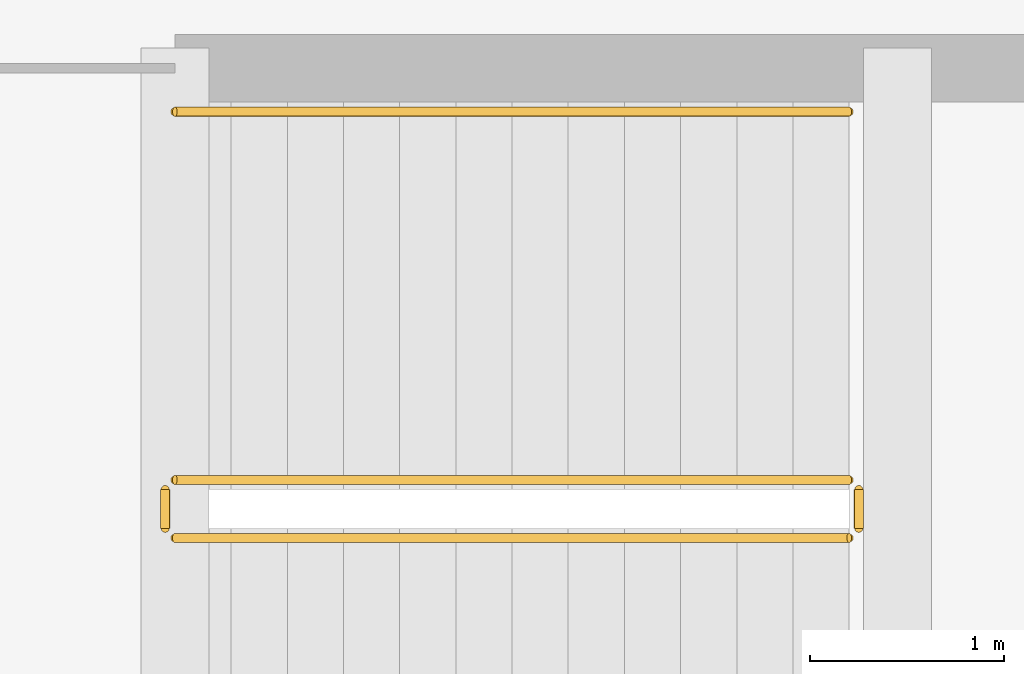
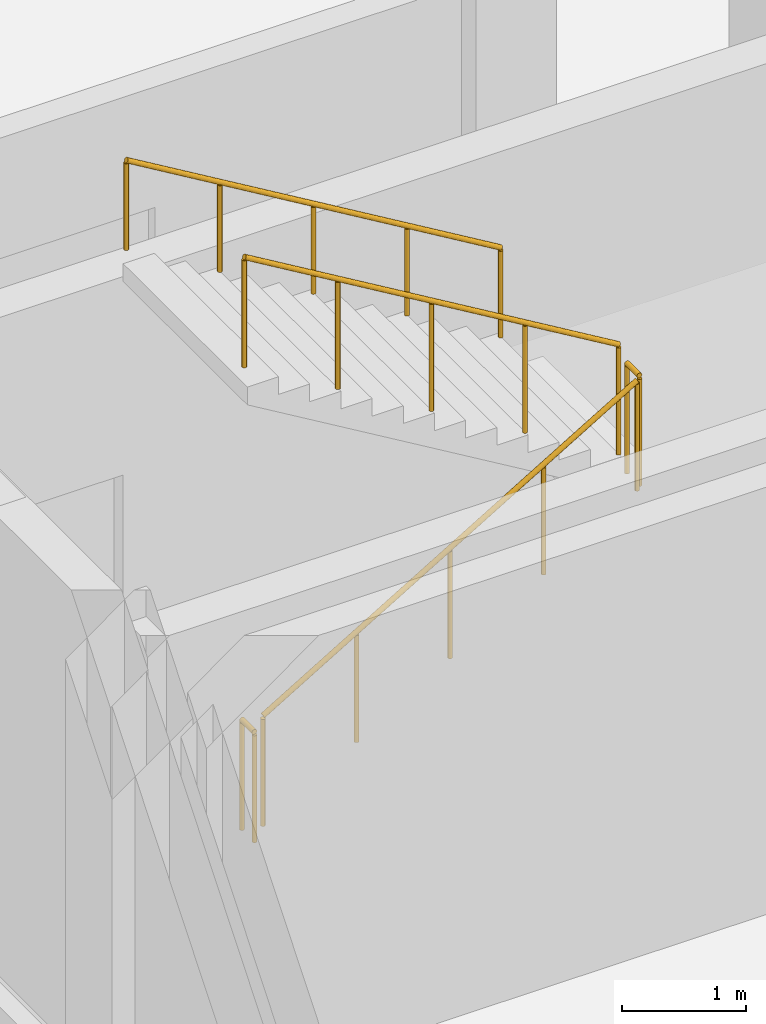
# One storey, part 49 of 53: 5 railings.
"""IFC4 building model written with IfcOpenShell, lengths in metres."""

from ifc_helpers import new_model, si_unit, direction, frame, origin, origin_2d, place, context, subcontext, project, spatial, circle, extrude, material, type_object, element, save


model = new_model("IFC4")

# Units and contexts
model_context = context("Model", 3, precision=1e-05, world=origin(), true_north=direction((0.0, 1.0)))
body_context = subcontext(model_context, "Body", "Model", "MODEL_VIEW")
ifc_project = project(units=[si_unit("LENGTHUNIT", "METRE"), si_unit("AREAUNIT", "SQUARE_METRE"), si_unit("VOLUMEUNIT", "CUBIC_METRE"), si_unit("PLANEANGLEUNIT", "RADIAN"), si_unit("MASSUNIT", "GRAM", prefix="KILO")], contexts=[model_context])

# Site, building, storey
site_placement = place(None, origin())
site = spatial("IfcSite", under=ifc_project, at=site_placement, CompositionType="ELEMENT")
building_placement = place(site_placement, origin())
building = spatial("IfcBuilding", under=site, at=building_placement, Name="Qorikala Patio Media Centre", CompositionType="ELEMENT")
storey_placement = place(building_placement, frame((0.0, 0.0, 5.39990234375)))
storey = spatial("IfcBuildingStorey", under=building, at=storey_placement, Name="L01", CompositionType="ELEMENT", Elevation=5.39990234375)

# Railings
ifc_material_1 = material(Name="Wrought Bronze and Steel S355", Category="steel")
railing_type_1 = type_object("IfcRailingType", Name="RL-GUARD-110", PredefinedType="GUARDRAIL", material=ifc_material_1)
railing_1_placement = place(storey_placement, frame((5.60009765625, 66.35009765625, 0.173095703125)))
element("IfcRailing", 1, at=railing_1_placement, inside=storey, type_object=railing_type_1, Name="L01 ST-3 stair guard 1", PredefinedType="GUARDRAIL", context=body_context, shape_type="SweptSolid", body=[
    extrude(circle(Radius=0.02392578125, at=origin_2d()), frame((0.0, 0.0, 1.076171875), z_axis=(0.858697190188, 0.0, 0.512483302717), x_axis=(0.0, 1.0, 0.0)), (0.0, 0.0, 1.0), 4.052734375),
    extrude(circle(Radius=0.02099609375, at=origin_2d()), origin(), (0.0, 0.0, 1.0), 1.052001953125),
    extrude(circle(Radius=0.02099609375, at=origin_2d()), frame((0.8701171875, 0.0, 0.519287109375)), (0.0, 0.0, 1.0), 1.052001953125),
    extrude(circle(Radius=0.02099609375, at=origin_2d()), frame((1.739990234375, 0.0, 1.03857421875)), (0.0, 0.0, 1.0), 1.052001953125),
    extrude(circle(Radius=0.02099609375, at=origin_2d()), frame((2.60986328125, 0.0, 1.5576171875)), (0.0, 0.0, 1.0), 1.052001953125),
    extrude(circle(Radius=0.02099609375, at=origin_2d()), frame((3.47998046875, 0.0, 2.076904296875)), (0.0, 0.0, 1.0), 1.052001953125),
])
railing_2_placement = place(storey_placement, frame((9.1298828125, 66.39990234375, 2.25)))
element("IfcRailing", 2, at=railing_2_placement, inside=storey, type_object=railing_type_1, Name="L01 ST-3 stair guard 2", PredefinedType="GUARDRAIL", context=body_context, shape_type="SweptSolid", body=[
    extrude(circle(Radius=0.02392578125, at=origin_2d()), frame((0.0, 0.0, 1.076171875), z_axis=(0.0, 1.0, 0.0), x_axis=(-1.0, 0.0, 0.0)), (0.0, 0.0, 1.0), 0.2001953125),
    extrude(circle(Radius=0.02099609375, at=origin_2d()), origin(), (0.0, 0.0, 1.0), 1.052001953125),
    extrude(circle(Radius=0.02099609375, at=origin_2d()), frame((0.0, 0.2001953125, 0.0)), (0.0, 0.0, 1.0), 1.052001953125),
])
railing_3_placement = place(storey_placement, frame((9.080078125, 66.64990234375, 2.423095703125)))
element("IfcRailing", 3, at=railing_3_placement, inside=storey, type_object=railing_type_1, Name="L01 ST-3 stair guard 3", PredefinedType="GUARDRAIL", context=body_context, shape_type="SweptSolid", body=[
    extrude(circle(Radius=0.02392578125, at=origin_2d()), frame((0.0, 0.0, 1.076171875), z_axis=(-0.858697190188, 0.0, 0.512483302717), x_axis=(0.0, -1.0, 0.0)), (0.0, 0.0, 1.0), 4.052734375),
    extrude(circle(Radius=0.02099609375, at=origin_2d()), origin(), (0.0, 0.0, 1.0), 1.052001953125),
    extrude(circle(Radius=0.02099609375, at=origin_2d()), frame((-0.8701171875, 0.0, 0.519287109375)), (0.0, 0.0, 1.0), 1.052001953125),
    extrude(circle(Radius=0.02099609375, at=origin_2d()), frame((-1.739990234375, 0.0, 1.03857421875)), (0.0, 0.0, 1.0), 1.052001953125),
    extrude(circle(Radius=0.02099609375, at=origin_2d()), frame((-2.60986328125, 0.0, 1.5576171875)), (0.0, 0.0, 1.0), 1.052001953125),
    extrude(circle(Radius=0.02099609375, at=origin_2d()), frame((-3.47998046875, 0.0, 2.076904296875)), (0.0, 0.0, 1.0), 1.052001953125),
])
railing_4_placement = place(storey_placement, frame((5.550048828125, 66.39990234375, 0.0)))
element("IfcRailing", 4, at=railing_4_placement, inside=storey, type_object=railing_type_1, Name="L01 ST-3 stair guard 4", PredefinedType="GUARDRAIL", context=body_context, shape_type="SweptSolid", body=[
    extrude(circle(Radius=0.02392578125, at=origin_2d()), frame((0.0, 0.0, 1.076171875), z_axis=(0.0, 1.0, 0.0), x_axis=(-1.0, 0.0, 0.0)), (0.0, 0.0, 1.0), 0.2001953125),
    extrude(circle(Radius=0.02099609375, at=origin_2d()), origin(), (0.0, 0.0, 1.0), 1.052001953125),
    extrude(circle(Radius=0.02099609375, at=origin_2d()), frame((0.0, 0.2001953125, 0.0)), (0.0, 0.0, 1.0), 1.052001953125),
])
ifc_material_2 = material(Name="Brushed Bronze Tubular Steel S355", Category="steel")
railing_type_2 = type_object("IfcRailingType", Name="RL-HAND-090", PredefinedType="HANDRAIL", material=ifc_material_2)
railing_5_placement = place(storey_placement, frame((9.080078125, 68.550048828125, 2.423095703125)))
element("IfcRailing", 5, at=railing_5_placement, inside=storey, type_object=railing_type_2, Name="L01 ST-3 stair handrail 2", PredefinedType="HANDRAIL", context=body_context, shape_type="SweptSolid", body=[
    extrude(circle(Radius=0.02392578125, at=origin_2d()), frame((0.0, 0.0, 0.8759765625), z_axis=(-0.858697190188, 0.0, 0.512483302717), x_axis=(0.0, -1.0, 0.0)), (0.0, 0.0, 1.0), 4.052734375),
    extrude(circle(Radius=0.02099609375, at=origin_2d()), origin(), (0.0, 0.0, 1.0), 0.851806640625),
    extrude(circle(Radius=0.02099609375, at=origin_2d()), frame((-0.8701171875, 0.0, 0.519287109375)), (0.0, 0.0, 1.0), 0.851806640625),
    extrude(circle(Radius=0.02099609375, at=origin_2d()), frame((-1.739990234375, 0.0, 1.03857421875)), (0.0, 0.0, 1.0), 0.851806640625),
    extrude(circle(Radius=0.02099609375, at=origin_2d()), frame((-2.60986328125, 0.0, 1.5576171875)), (0.0, 0.0, 1.0), 0.851806640625),
    extrude(circle(Radius=0.02099609375, at=origin_2d()), frame((-3.47998046875, 0.0, 2.076904296875)), (0.0, 0.0, 1.0), 0.851806640625),
])

save(model, "model.ifc")
